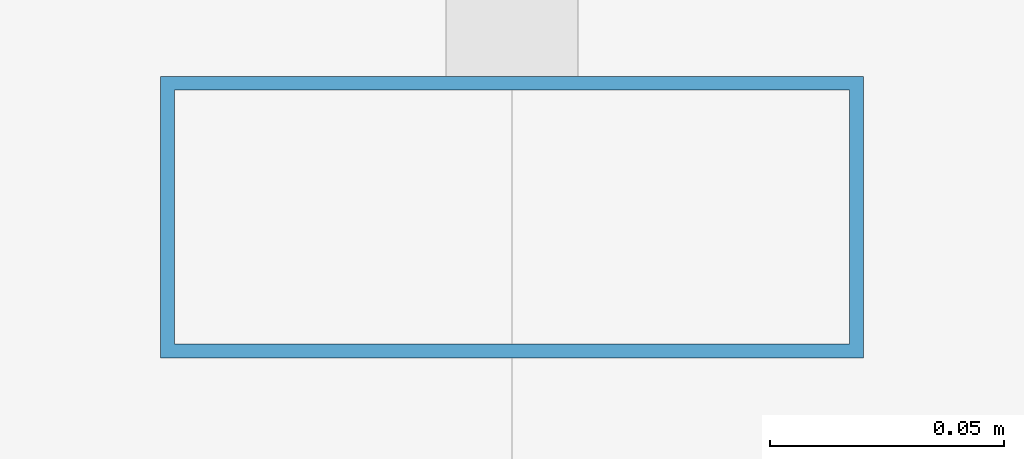
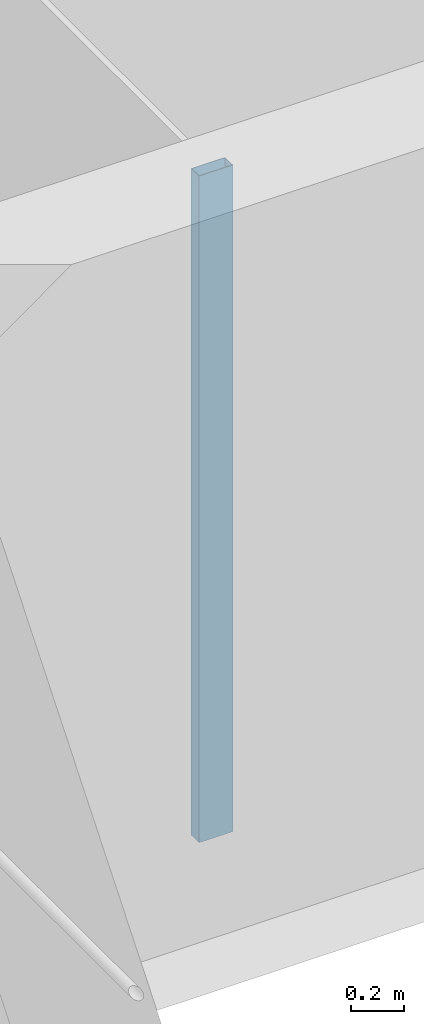
# One storey, part 11 of 30: 1 member, 1 element without a shape of its own.
"""IFC4 building model written with IfcOpenShell, lengths in metres."""

import ifcopenshell
import ifcopenshell.guid

model = None  # the IFC model being written
_history = None  # IfcOwnerHistory: only IFC2X3 demands one
_inside = {}  # id of a spatial element -> (the spatial element, [elements in it])
_under = {}  # id of a project, library or spatial element -> (it, [spatial elements below it])
_declared = {}  # id of a project -> (the project, [libraries it declares])
_typed = {}  # id of a type object -> (the type object, [elements of that type])
_made_of = {}  # id of a material, layer set ... -> (it, [elements and type objects made of it])


def new_model(schema):
    """Start an empty IFC model of exactly this schema.

    Asked for "IFC4X3", IfcOpenShell would pick the latest addendum, in which some entities
    have other attributes; the version numbers below select the first issue.
    IFC2X3 requires an IfcOwnerHistory on every rooted entity: one is made here for all.
    """
    global model, _history
    if schema == "IFC4X3":
        model = ifcopenshell.file(schema_version=(4, 3, 0, 0))
    else:
        model = ifcopenshell.file(schema=schema)
    _inside.clear()
    _under.clear()
    _declared.clear()
    _typed.clear()
    _made_of.clear()
    _history = None
    if model.schema == "IFC2X3":
        org = make("IfcOrganization", Name="unknown")
        user = make(
            "IfcPersonAndOrganization",
            ThePerson=make("IfcPerson", FamilyName="unknown"),
            TheOrganization=org,
        )
        app = make(
            "IfcApplication",
            ApplicationDeveloper=org,
            Version="unknown",
            ApplicationFullName="unknown",
            ApplicationIdentifier="unknown",
        )
        _history = make(
            "IfcOwnerHistory",
            OwningUser=user,
            OwningApplication=app,
            ChangeAction="ADDED",
            CreationDate=0,
        )
    return model


def make(cls, **values):
    """One entity of the class cls with the attributes given. An attribute that is None is left unset."""
    return model.create_entity(
        cls, **{name: value for name, value in values.items() if value is not None}
    )


def rooted(cls, **values):
    """An entity with a GlobalId (a new one), such as an element, a storey or a relation."""
    return make(cls, GlobalId=ifcopenshell.guid.new(), OwnerHistory=_history, **values)


def si_unit(unit_type, name, prefix=None):
    """IfcSIUnit, for example si_unit("LENGTHUNIT", "METRE", prefix="MILLI")."""
    return make("IfcSIUnit", UnitType=unit_type, Prefix=prefix, Name=name)


def assignment(units):
    """IfcUnitAssignment: the units of a project."""
    return None if units is None else make("IfcUnitAssignment", Units=units)


def point(xyz):
    """IfcCartesianPoint."""
    return None if xyz is None else make("IfcCartesianPoint", Coordinates=xyz)


def direction(xyz):
    """IfcDirection."""
    return None if xyz is None else make("IfcDirection", DirectionRatios=xyz)


def frame(location, z_axis=None, x_axis=None):
    """IfcAxis2Placement3D, a coordinate frame: its origin and axes. An axis left out is left unset."""
    return make(
        "IfcAxis2Placement3D",
        Location=point(location),
        Axis=direction(z_axis),
        RefDirection=direction(x_axis),
    )


def frame_2d(location, x_axis=None):
    """IfcAxis2Placement2D, a coordinate frame in the plane: its origin and x axis."""
    return make(
        "IfcAxis2Placement2D", Location=point(location), RefDirection=direction(x_axis)
    )


def origin():
    """The frame at (0, 0, 0) with its axes left unset."""
    return frame((0.0, 0.0, 0.0))


def origin_2d():
    """The frame at (0, 0) in the plane with its x axis left unset."""
    return frame_2d((0.0, 0.0))


def place(relative_to, where):
    """IfcLocalPlacement: puts the frame where relative to a parent placement (None: the world)."""
    return make(
        "IfcLocalPlacement", PlacementRelTo=relative_to, RelativePlacement=where
    )


def context(
    kind, dimensions, precision=None, world=None, true_north=None, identifier=None
):
    """IfcGeometricRepresentationContext, for example the 3D "Model" context."""
    return make(
        "IfcGeometricRepresentationContext",
        ContextIdentifier=identifier,
        ContextType=kind,
        CoordinateSpaceDimension=dimensions,
        Precision=precision,
        WorldCoordinateSystem=world,
        TrueNorth=true_north,
    )


def subcontext(parent, identifier, kind, view, scale=None):
    """IfcGeometricRepresentationSubContext, for example "Body" below "Model"."""
    return make(
        "IfcGeometricRepresentationSubContext",
        ContextIdentifier=identifier,
        ContextType=kind,
        ParentContext=parent,
        TargetScale=scale,
        TargetView=view,
    )


def project(units=None, contexts=None):
    """IfcProject with its units and contexts."""
    return rooted(
        "IfcProject",
        Name="project",
        RepresentationContexts=contexts,
        UnitsInContext=assignment(units),
    )


def spatial(cls, under=None, at=None, **own):
    """A site, building, storey or space (cls), placed at a placement, below another one or the project."""
    s = rooted(cls, ObjectPlacement=at, **own)
    if under is not None:
        _under.setdefault(under.id(), (under, []))[1].append(s)
    return s


def profile(cls, at=None, kind="AREA", **sizes):
    """A parametric profile (cls). Its sizes go by their IFC names, for example OverallWidth=200.0."""
    return make(cls, ProfileType=kind, Position=at, **sizes)


def hollow_rectangle(**sizes):
    """IfcRectangleHollowProfileDef."""
    return profile("IfcRectangleHollowProfileDef", **sizes)


def extrude(swept, where, along, depth):
    """IfcExtrudedAreaSolid: the profile swept, set in the frame where, extruded along a direction by depth."""
    return make(
        "IfcExtrudedAreaSolid",
        SweptArea=swept,
        Position=where,
        ExtrudedDirection=direction(along),
        Depth=depth,
    )


def shape(context_of_items, identifier, shape_type, items):
    """IfcShapeRepresentation: the items that make up one representation, for example the "Body"."""
    return make(
        "IfcShapeRepresentation",
        ContextOfItems=context_of_items,
        RepresentationIdentifier=identifier,
        RepresentationType=shape_type,
        Items=items,
    )


def material(Name=None, Category=None):
    """IfcMaterial."""
    return make("IfcMaterial", Name=Name, Category=Category)


def material_profile(
    of_material, cross_section, Name=None, Category=None, Priority=None
):
    """IfcMaterialProfile: a cross section and its material."""
    return make(
        "IfcMaterialProfile",
        Name=Name,
        Material=of_material,
        Profile=cross_section,
        Priority=Priority,
        Category=Category,
    )


def profile_set(profiles, Name=None, composite=None):
    """IfcMaterialProfileSet."""
    return make(
        "IfcMaterialProfileSet",
        Name=Name,
        MaterialProfiles=profiles,
        CompositeProfile=composite,
    )


def made_of(thing, what):
    """Note that an element or type object is made of a material, layer set ...; save() writes the relation."""
    if what is not None:
        _made_of.setdefault(what.id(), (what, []))[1].append(thing)
    return thing


def type_object(cls, material=None, **own):
    """A type object (cls), such as IfcWallType, which elements share."""
    return made_of(rooted(cls, **own), material)


def element(
    cls,
    number,
    at=None,
    inside=None,
    cuts=None,
    type_object=None,
    material=None,
    context=None,
    identifier="Body",
    shape_type=None,
    held_by="IfcProductDefinitionShape",
    body=None,
    shapes=None,
    **own,
):
    """One element of the class cls, such as IfcWall. Its Tag is "e" and its number.

    at: its placement. inside: the storey or other place that contains it. cuts: it is an
    opening in that element (IfcRelVoidsElement). A single representation is given by context,
    identifier, shape_type and body (its items); several are given by shapes. held_by: the class
    of the entity that holds the representations. save() writes the other relations.
    """
    e = rooted(cls, Tag="e%d" % number, ObjectPlacement=at, **own)
    if body is not None:
        shapes = [shape(context, identifier, shape_type, body)]
    if shapes is not None:
        e.Representation = make(held_by, Representations=shapes)
    if inside is not None:
        _inside.setdefault(inside.id(), (inside, []))[1].append(e)
    if cuts is not None:
        rooted(
            "IfcRelVoidsElement", RelatingBuildingElement=cuts, RelatedOpeningElement=e
        )
    if type_object is not None:
        _typed.setdefault(type_object.id(), (type_object, []))[1].append(e)
    return made_of(e, material)


def aggregate(whole, parts):
    """IfcRelAggregates: a whole, such as a stair, and the parts it consists of."""
    return rooted("IfcRelAggregates", RelatingObject=whole, RelatedObjects=parts)


def save(model, path):
    """Write the relations noted so far, then the file.

    IfcRelAggregates (storeys below a building ...), IfcRelContainedInSpatialStructure (elements
    in a storey), IfcRelDefinesByType, IfcRelAssociatesMaterial and IfcRelDeclares: one each for
    every whole, place, type object, material and project.
    """
    for whole, parts in _under.values():
        aggregate(whole, parts)
    for where, things in _inside.values():
        rooted(
            "IfcRelContainedInSpatialStructure",
            RelatedElements=things,
            RelatingStructure=where,
        )
    for kind, things in _typed.values():
        rooted("IfcRelDefinesByType", RelatedObjects=things, RelatingType=kind)
    for what, things in _made_of.values():
        rooted("IfcRelAssociatesMaterial", RelatedObjects=things, RelatingMaterial=what)
    for by, libraries in _declared.values():
        rooted("IfcRelDeclares", RelatingContext=by, RelatedDefinitions=libraries)
    model.write(path)


model = new_model("IFC4")

# Units and contexts
model_context = context("Model", 3, precision=1e-05, world=origin(), true_north=direction((0.0, 1.0)))
body_context = subcontext(model_context, "Body", "Model", "MODEL_VIEW")
ifc_project = project(units=[si_unit("LENGTHUNIT", "METRE"), si_unit("AREAUNIT", "SQUARE_METRE"), si_unit("VOLUMEUNIT", "CUBIC_METRE"), si_unit("PLANEANGLEUNIT", "RADIAN"), si_unit("MASSUNIT", "GRAM", prefix="KILO")], contexts=[model_context])

# Site, building, storey
site_placement = place(None, origin())
site = spatial("IfcSite", under=ifc_project, at=site_placement, CompositionType="ELEMENT")
building_placement = place(site_placement, origin())
building = spatial("IfcBuilding", under=site, at=building_placement, Name="Altepetl Exchange Towers", CompositionType="ELEMENT")
storey_placement = place(building_placement, frame((0.0, 0.0, 220.800048828125)))
storey = spatial("IfcBuildingStorey", under=building, at=storey_placement, Name="L56", CompositionType="ELEMENT", Elevation=220.800048828125)

# Curtain wall, member
ifc_material_1 = material(Name="Aluminium 6063-T6 glazing", Category="aluminium")
curtain_wall_type = type_object("IfcCurtainWallType", Name="Loggia glazing system", PredefinedType="NOTDEFINED", material=ifc_material_1)
curtain_wall_placement = place(storey_placement, origin())
curtain_wall = element("IfcCurtainWall", 1, at=curtain_wall_placement, inside=storey, type_object=curtain_wall_type, Name="CW1 run", PredefinedType="NOTDEFINED")
ifc_material_2 = material(Name="Aluminium 6063-T6", Category="aluminium")
ifc_material_profile = material_profile(ifc_material_2, hollow_rectangle(XDim=0.06005859375, YDim=0.14990234375, WallThickness=0.0029296875, at=origin_2d()), Name="Mullion 60x150 aluminium")
ifc_profile_set = profile_set([ifc_material_profile], Name="Aluminium 6063-T6")
member_type = type_object("IfcMemberType", Name="Mullion 60x150 aluminium", PredefinedType="MULLION", material=ifc_profile_set)
member_placement = place(storey_placement, frame((42.5, 58.60498046875, 0.0), z_axis=(0.0, 0.0, 1.0), x_axis=(0.0, -1.0, 0.0)))
member = element("IfcMember", 2, at=member_placement, type_object=member_type, Name="MU1 mullion", PredefinedType="MULLION", context=body_context, shape_type="SweptSolid", body=[
    extrude(hollow_rectangle(XDim=0.06005859375, YDim=0.14990234375, WallThickness=0.0029296875, at=origin_2d()), origin(), (0.0, 0.0, 1.0), 3.099853515625),
])
aggregate(curtain_wall, [member])

save(model, "model.ifc")
